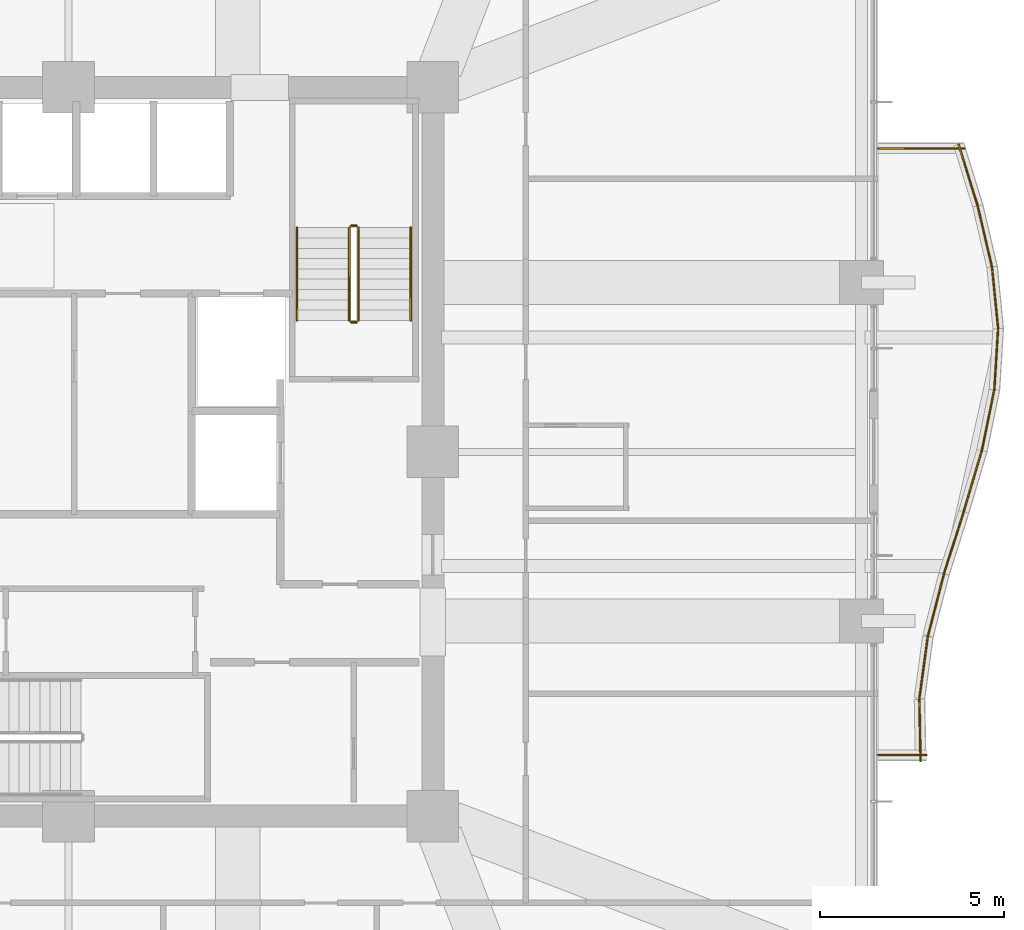
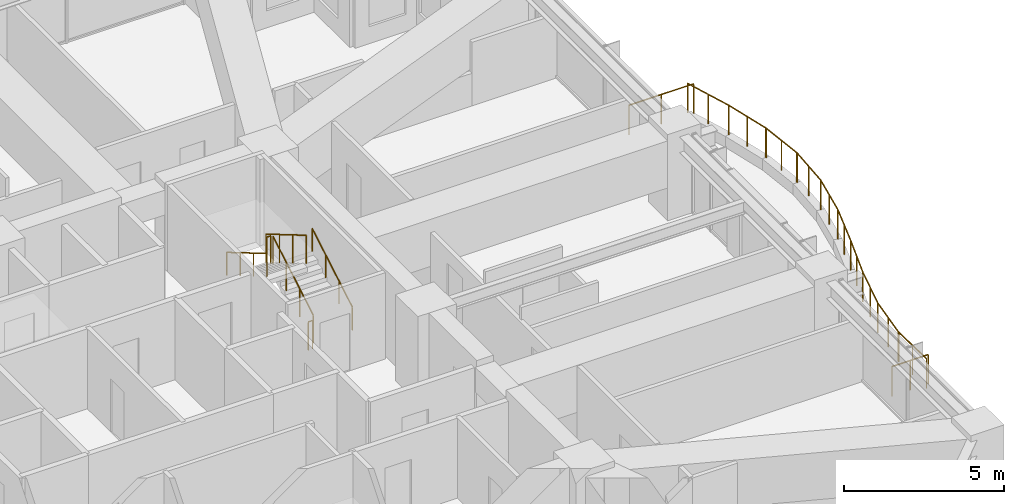
# One storey, part 39 of 39: 18 railings.
"""IFC4 building model written with IfcOpenShell, lengths in metres."""

from ifc_helpers import new_model, si_unit, direction, frame, origin, origin_2d, place, context, subcontext, project, spatial, circle, extrude, material, type_object, element, save


model = new_model("IFC4")

# Units and contexts
model_context = context("Model", 3, precision=1e-05, world=origin(), true_north=direction((0.0, 1.0)))
body_context = subcontext(model_context, "Body", "Model", "MODEL_VIEW")
ifc_project = project(units=[si_unit("LENGTHUNIT", "METRE"), si_unit("AREAUNIT", "SQUARE_METRE"), si_unit("VOLUMEUNIT", "CUBIC_METRE"), si_unit("PLANEANGLEUNIT", "RADIAN"), si_unit("MASSUNIT", "GRAM", prefix="KILO")], contexts=[model_context])

# Site, building, storey
site_placement = place(None, origin())
site = spatial("IfcSite", under=ifc_project, at=site_placement, CompositionType="ELEMENT")
building_placement = place(site_placement, origin())
building = spatial("IfcBuilding", under=site, at=building_placement, Name="Kolvaren Belvedere", CompositionType="ELEMENT")
storey_placement = place(building_placement, frame((0.0, 0.0, 40.300048828125)))
storey = spatial("IfcBuildingStorey", under=building, at=storey_placement, Name="L11", CompositionType="ELEMENT", Elevation=40.300048828125)

# Railings
ifc_material_1 = material(Name="Anodised pale-metal aluminium & laminated glass guard", Category="aluminium")
railing_type_1 = type_object("IfcRailingType", Name="RL-GUARD-1150", PredefinedType="GUARDRAIL", material=ifc_material_1)
railing_1_placement = place(storey_placement, frame((23.15283203125, -8.4033203125, 0.35986328125)))
element("IfcRailing", 1, at=railing_1_placement, inside=storey, type_object=railing_type_1, Name="L11 Exterior Deck Safety Guard BAL-E-1", PredefinedType="GUARDRAIL", context=body_context, shape_type="SweptSolid", body=[
    extrude(circle(Radius=0.02392578125, at=origin_2d()), frame((0.0, 0.0, 1.1259765625), z_axis=(-0.020048280122, 0.999799013034, 0.0), x_axis=(-0.999799013034, -0.020048280122, 0.0)), (0.0, 0.0, 1.0), 1.680419921875),
    extrude(circle(Radius=0.02099609375, at=origin_2d()), origin(), (0.0, 0.0, 1.0), 1.101806640625),
    extrude(circle(Radius=0.02099609375, at=origin_2d()), frame((-0.016845703125, 0.840087890625, 0.0)), (0.0, 0.0, 1.0), 1.101806640625),
    extrude(circle(Radius=0.02099609375, at=origin_2d()), frame((-0.03369140625, 1.68017578125, 0.0)), (0.0, 0.0, 1.0), 1.101806640625),
])
railing_2_placement = place(storey_placement, frame((23.12060546875, -6.698486328125, 0.35986328125)))
element("IfcRailing", 2, at=railing_2_placement, inside=storey, type_object=railing_type_1, Name="L11 Exterior Deck Safety Guard BAL-E-2", PredefinedType="GUARDRAIL", context=body_context, shape_type="SweptSolid", body=[
    extrude(circle(Radius=0.02392578125, at=origin_2d()), frame((0.0, 0.0, 1.1259765625), z_axis=(0.134907602079, 0.990858183042, 0.0), x_axis=(-0.990858183042, 0.134907602079, 0.0)), (0.0, 0.0, 1.0), 1.695556640625),
    extrude(circle(Radius=0.02099609375, at=origin_2d()), origin(), (0.0, 0.0, 1.0), 1.101806640625),
    extrude(circle(Radius=0.02099609375, at=origin_2d()), frame((0.1142578125, 0.840087890625, 0.0)), (0.0, 0.0, 1.0), 1.101806640625),
    extrude(circle(Radius=0.02099609375, at=origin_2d()), frame((0.228759765625, 1.68017578125, 0.0)), (0.0, 0.0, 1.0), 1.101806640625),
])
railing_3_placement = place(storey_placement, frame((23.352783203125, -5.0, 0.35986328125)))
element("IfcRailing", 3, at=railing_3_placement, inside=storey, type_object=railing_type_1, Name="L11 Exterior Deck Safety Guard BAL-E-3", PredefinedType="GUARDRAIL", context=body_context, shape_type="SweptSolid", body=[
    extrude(circle(Radius=0.02392578125, at=origin_2d()), frame((0.0, 0.0, 1.1259765625), z_axis=(0.250537405469, 0.968106919953, 0.0), x_axis=(-0.968106919953, 0.250537405469, 0.0)), (0.0, 0.0, 1.0), 1.735595703125),
    extrude(circle(Radius=0.02099609375, at=origin_2d()), origin(), (0.0, 0.0, 1.0), 1.101806640625),
    extrude(circle(Radius=0.02099609375, at=origin_2d()), frame((0.21728515625, 0.840087890625, 0.0)), (0.0, 0.0, 1.0), 1.101806640625),
    extrude(circle(Radius=0.02099609375, at=origin_2d()), frame((0.434814453125, 1.68017578125, 0.0)), (0.0, 0.0, 1.0), 1.101806640625),
])
railing_4_placement = place(storey_placement, frame((23.789794921875, -3.3115234375, 0.35986328125)))
element("IfcRailing", 4, at=railing_4_placement, inside=storey, type_object=railing_type_1, Name="L11 Exterior Deck Safety Guard BAL-E-4", PredefinedType="GUARDRAIL", context=body_context, shape_type="SweptSolid", body=[
    extrude(circle(Radius=0.02392578125, at=origin_2d()), frame((0.0, 0.0, 1.1259765625), z_axis=(0.302523204768, 0.953142020151, 0.0), x_axis=(-0.953142020151, 0.302523204768, 0.0)), (0.0, 0.0, 1.0), 1.762451171875),
    extrude(circle(Radius=0.02099609375, at=origin_2d()), origin(), (0.0, 0.0, 1.0), 1.101806640625),
    extrude(circle(Radius=0.02099609375, at=origin_2d()), frame((0.2666015625, 0.83984375, 0.0)), (0.0, 0.0, 1.0), 1.101806640625),
    extrude(circle(Radius=0.02099609375, at=origin_2d()), frame((0.533203125, 1.679931640625, 0.0)), (0.0, 0.0, 1.0), 1.101806640625),
])
railing_5_placement = place(storey_placement, frame((24.322021484375, -1.634521484375, 0.35986328125)))
element("IfcRailing", 5, at=railing_5_placement, inside=storey, type_object=railing_type_1, Name="L11 Exterior Deck Safety Guard BAL-E-5", PredefinedType="GUARDRAIL", context=body_context, shape_type="SweptSolid", body=[
    extrude(circle(Radius=0.02392578125, at=origin_2d()), frame((0.0, 0.0, 1.1259765625), z_axis=(0.284842289601, 0.958574394638, 0.0), x_axis=(-0.958574394638, 0.284842289601, 0.0)), (0.0, 0.0, 1.0), 1.752685546875),
    extrude(circle(Radius=0.02099609375, at=origin_2d()), origin(), (0.0, 0.0, 1.0), 1.101806640625),
    extrude(circle(Radius=0.02099609375, at=origin_2d()), frame((0.24951171875, 0.840087890625, 0.0)), (0.0, 0.0, 1.0), 1.101806640625),
    extrude(circle(Radius=0.02099609375, at=origin_2d()), frame((0.499267578125, 1.68017578125, 0.0)), (0.0, 0.0, 1.0), 1.101806640625),
])
railing_6_placement = place(storey_placement, frame((24.818115234375, 0.031982421875, 0.35986328125)))
element("IfcRailing", 6, at=railing_6_placement, inside=storey, type_object=railing_type_1, Name="L11 Exterior Deck Safety Guard BAL-E-6", PredefinedType="GUARDRAIL", context=body_context, shape_type="SweptSolid", body=[
    extrude(circle(Radius=0.02392578125, at=origin_2d()), frame((0.0, 0.0, 1.1259765625), z_axis=(0.199647526069, 0.979867779516, 0.0), x_axis=(-0.979867779516, 0.199647526069, 0.0)), (0.0, 0.0, 1.0), 1.71435546875),
    extrude(circle(Radius=0.02099609375, at=origin_2d()), origin(), (0.0, 0.0, 1.0), 1.101806640625),
    extrude(circle(Radius=0.02099609375, at=origin_2d()), frame((0.171142578125, 0.83984375, 0.0)), (0.0, 0.0, 1.0), 1.101806640625),
    extrude(circle(Radius=0.02099609375, at=origin_2d()), frame((0.34228515625, 1.679931640625, 0.0)), (0.0, 0.0, 1.0), 1.101806640625),
])
railing_7_placement = place(storey_placement, frame((25.157470703125, 1.689697265625, 0.35986328125)))
element("IfcRailing", 7, at=railing_7_placement, inside=storey, type_object=railing_type_1, Name="L11 Exterior Deck Safety Guard BAL-E-7", PredefinedType="GUARDRAIL", context=body_context, shape_type="SweptSolid", body=[
    extrude(circle(Radius=0.02392578125, at=origin_2d()), frame((0.0, 0.0, 1.1259765625), z_axis=(0.061059932685, 0.998134101522, 0.0), x_axis=(-0.998134101522, 0.061059932685, 0.0)), (0.0, 0.0, 1.0), 1.683349609375),
    extrude(circle(Radius=0.02099609375, at=origin_2d()), origin(), (0.0, 0.0, 1.0), 1.101806640625),
    extrude(circle(Radius=0.02099609375, at=origin_2d()), frame((0.05126953125, 0.840087890625, 0.0)), (0.0, 0.0, 1.0), 1.101806640625),
    extrude(circle(Radius=0.02099609375, at=origin_2d()), frame((0.102783203125, 1.68017578125, 0.0)), (0.0, 0.0, 1.0), 1.101806640625),
])
railing_8_placement = place(storey_placement, frame((25.2607421875, 3.343994140625, 0.35986328125)))
element("IfcRailing", 8, at=railing_8_placement, inside=storey, type_object=railing_type_1, Name="L11 Exterior Deck Safety Guard BAL-E-8", PredefinedType="GUARDRAIL", context=body_context, shape_type="SweptSolid", body=[
    extrude(circle(Radius=0.02392578125, at=origin_2d()), frame((0.0, 0.0, 1.1259765625), z_axis=(-0.099475088112, 0.995040052885, 0.0), x_axis=(-0.995040052885, -0.099475088112, 0.0)), (0.0, 0.0, 1.0), 1.6884765625),
    extrude(circle(Radius=0.02099609375, at=origin_2d()), origin(), (0.0, 0.0, 1.0), 1.101806640625),
    extrude(circle(Radius=0.02099609375, at=origin_2d()), frame((-0.083984375, 0.840087890625, 0.0)), (0.0, 0.0, 1.0), 1.101806640625),
    extrude(circle(Radius=0.02099609375, at=origin_2d()), frame((-0.16796875, 1.68017578125, 0.0)), (0.0, 0.0, 1.0), 1.101806640625),
])
railing_9_placement = place(storey_placement, frame((25.09619140625, 5.003662109375, 0.35986328125)))
element("IfcRailing", 9, at=railing_9_placement, inside=storey, type_object=railing_type_1, Name="L11 Exterior Deck Safety Guard BAL-E-9", PredefinedType="GUARDRAIL", context=body_context, shape_type="SweptSolid", body=[
    extrude(circle(Radius=0.02392578125, at=origin_2d()), frame((0.0, 0.0, 1.1259765625), z_axis=(-0.227019323824, 0.973890253884, 0.0), x_axis=(-0.973890253884, -0.227019323824, 0.0)), (0.0, 0.0, 1.0), 1.724853515625),
    extrude(circle(Radius=0.02099609375, at=origin_2d()), origin(), (0.0, 0.0, 1.0), 1.101806640625),
    extrude(circle(Radius=0.02099609375, at=origin_2d()), frame((-0.19580078125, 0.83984375, 0.0)), (0.0, 0.0, 1.0), 1.101806640625),
    extrude(circle(Radius=0.02099609375, at=origin_2d()), frame((-0.3916015625, 1.679931640625, 0.0)), (0.0, 0.0, 1.0), 1.101806640625),
])
railing_10_placement = place(storey_placement, frame((24.70751953125, 6.672607421875, 0.35986328125)))
element("IfcRailing", 10, at=railing_10_placement, inside=storey, type_object=railing_type_1, Name="L11 Exterior Deck Safety Guard BAL-E-10", PredefinedType="GUARDRAIL", context=body_context, shape_type="SweptSolid", body=[
    extrude(circle(Radius=0.02392578125, at=origin_2d()), frame((0.0, 0.0, 1.1259765625), z_axis=(-0.29579229954, 0.955252278476, 0.0), x_axis=(-0.955252278476, -0.29579229954, 0.0)), (0.0, 0.0, 1.0), 1.7587890625),
    extrude(circle(Radius=0.02099609375, at=origin_2d()), origin(), (0.0, 0.0, 1.0), 1.101806640625),
    extrude(circle(Radius=0.02099609375, at=origin_2d()), frame((-0.26025390625, 0.840087890625, 0.0)), (0.0, 0.0, 1.0), 1.101806640625),
    extrude(circle(Radius=0.02099609375, at=origin_2d()), frame((-0.520263671875, 1.68017578125, 0.0)), (0.0, 0.0, 1.0), 1.101806640625),
])
railing_11_placement = place(storey_placement, frame((24.340087890625, 8.239990234375, 0.35986328125)))
element("IfcRailing", 11, at=railing_11_placement, inside=storey, type_object=railing_type_1, Name="L11 Exterior Deck Safety Guard BAL-E-11", PredefinedType="GUARDRAIL", context=body_context, shape_type="SweptSolid", body=[
    extrude(circle(Radius=0.02392578125, at=origin_2d()), frame((0.0, 0.0, 1.1259765625), z_axis=(-1.0, 0.0, 0.0), x_axis=(0.0, -1.0, 0.0)), (0.0, 0.0, 1.0), 2.340087890625),
    extrude(circle(Radius=0.02099609375, at=origin_2d()), origin(), (0.0, 0.0, 1.0), 1.101806640625),
    extrude(circle(Radius=0.02099609375, at=origin_2d()), frame((-1.169921875, 0.0, 0.0)), (0.0, 0.0, 1.0), 1.101806640625),
    extrude(circle(Radius=0.02099609375, at=origin_2d()), frame((-2.340087890625, 0.0, 0.0)), (0.0, 0.0, 1.0), 1.101806640625),
])
railing_12_placement = place(storey_placement, frame((22.0, -8.239990234375, 0.35986328125)))
element("IfcRailing", 12, at=railing_12_placement, inside=storey, type_object=railing_type_1, Name="L11 Exterior Deck Safety Guard BAL-E-22", PredefinedType="GUARDRAIL", context=body_context, shape_type="SweptSolid", body=[
    extrude(circle(Radius=0.02392578125, at=origin_2d()), frame((0.0, 0.0, 1.1259765625), z_axis=(1.0, 0.0, 0.0), x_axis=(0.0, 1.0, 0.0)), (0.0, 0.0, 1.0), 1.31298828125),
    extrude(circle(Radius=0.02099609375, at=origin_2d()), origin(), (0.0, 0.0, 1.0), 1.101806640625),
    extrude(circle(Radius=0.02099609375, at=origin_2d()), frame((0.656494140625, 0.0, 0.0)), (0.0, 0.0, 1.0), 1.101806640625),
    extrude(circle(Radius=0.02099609375, at=origin_2d()), frame((1.31298828125, 0.0, 0.0)), (0.0, 0.0, 1.0), 1.101806640625),
])
ifc_material_2 = material(Name="Brushed stainless-steel handrail", Category="steel")
railing_type_2 = type_object("IfcRailingType", Name="RL-HANDRAIL-920", PredefinedType="HANDRAIL", material=ifc_material_2)
railing_13_placement = place(storey_placement, frame((9.300048828125, 3.570068359375, 0.1650390625)))
element("IfcRailing", 13, at=railing_13_placement, inside=storey, type_object=railing_type_2, Name="L11 ST-2 stair handrail 1", PredefinedType="HANDRAIL", context=body_context, shape_type="SweptSolid", body=[
    extrude(circle(Radius=0.02392578125, at=origin_2d()), frame((0.0, 0.0, 0.8759765625), z_axis=(0.0, 0.861560626758, 0.507654692109), x_axis=(-1.0, 0.0, 0.0)), (0.0, 0.0, 1.0), 2.925048828125),
    extrude(circle(Radius=0.02099609375, at=origin_2d()), origin(), (0.0, 0.0, 1.0), 0.851806640625),
    extrude(circle(Radius=0.02099609375, at=origin_2d()), frame((0.0, 0.840087890625, 0.494873046875)), (0.0, 0.0, 1.0), 0.851806640625),
    extrude(circle(Radius=0.02099609375, at=origin_2d()), frame((0.0, 1.679931640625, 0.989990234375)), (0.0, 0.0, 1.0), 0.851806640625),
    extrude(circle(Radius=0.02099609375, at=origin_2d()), frame((0.0, 2.52001953125, 1.48486328125)), (0.0, 0.0, 1.0), 0.851806640625),
])
railing_14_placement = place(storey_placement, frame((6.2099609375, 6.090087890625, 1.81494140625)))
element("IfcRailing", 14, at=railing_14_placement, inside=storey, type_object=railing_type_2, Name="L11 ST-2 stair handrail 2", PredefinedType="HANDRAIL", context=body_context, shape_type="SweptSolid", body=[
    extrude(circle(Radius=0.02392578125, at=origin_2d()), frame((0.0, 0.0, 0.8759765625), z_axis=(0.0, -0.86152411907, 0.507716645641), x_axis=(1.0, 0.0, 0.0)), (0.0, 0.0, 1.0), 2.925048828125),
    extrude(circle(Radius=0.02099609375, at=origin_2d()), origin(), (0.0, 0.0, 1.0), 0.851806640625),
    extrude(circle(Radius=0.02099609375, at=origin_2d()), frame((0.0, -0.840087890625, 0.4951171875)), (0.0, 0.0, 1.0), 0.851806640625),
    extrude(circle(Radius=0.02099609375, at=origin_2d()), frame((0.0, -1.679931640625, 0.989990234375)), (0.0, 0.0, 1.0), 0.851806640625),
    extrude(circle(Radius=0.02099609375, at=origin_2d()), frame((0.0, -2.52001953125, 1.485107421875)), (0.0, 0.0, 1.0), 0.851806640625),
])
ifc_material_3 = material(Name="Painted tubular steel stair guard", Category="steel")
railing_type_3 = type_object("IfcRailingType", Name="RL-STGUARD-1100", PredefinedType="GUARDRAIL", material=ifc_material_3)
railing_15_placement = place(storey_placement, frame((7.8798828125, 3.570068359375, 0.1650390625)))
element("IfcRailing", 15, at=railing_15_placement, inside=storey, type_object=railing_type_3, Name="L11 ST-2 stair guard 1", PredefinedType="GUARDRAIL", context=body_context, shape_type="SweptSolid", body=[
    extrude(circle(Radius=0.02392578125, at=origin_2d()), frame((0.0, 0.0, 1.076171875), z_axis=(0.0, 0.861560626758, 0.507654692109), x_axis=(-1.0, 0.0, 0.0)), (0.0, 0.0, 1.0), 2.925048828125),
    extrude(circle(Radius=0.02099609375, at=origin_2d()), origin(), (0.0, 0.0, 1.0), 1.052001953125),
    extrude(circle(Radius=0.02099609375, at=origin_2d()), frame((0.0, 0.840087890625, 0.494873046875)), (0.0, 0.0, 1.0), 1.052001953125),
    extrude(circle(Radius=0.02099609375, at=origin_2d()), frame((0.0, 1.679931640625, 0.989990234375)), (0.0, 0.0, 1.0), 1.052001953125),
    extrude(circle(Radius=0.02099609375, at=origin_2d()), frame((0.0, 2.52001953125, 1.48486328125)), (0.0, 0.0, 1.0), 1.052001953125),
])
railing_16_placement = place(storey_placement, frame((7.830078125, 6.139892578125, 1.64990234375)))
element("IfcRailing", 16, at=railing_16_placement, inside=storey, type_object=railing_type_3, Name="L11 ST-2 stair guard 2", PredefinedType="GUARDRAIL", context=body_context, shape_type="SweptSolid", body=[
    extrude(circle(Radius=0.02392578125, at=origin_2d()), frame((0.0, 0.0, 1.076171875), z_axis=(-1.0, 0.0, 0.0), x_axis=(0.0, -1.0, 0.0)), (0.0, 0.0, 1.0), 0.150146484375),
    extrude(circle(Radius=0.02099609375, at=origin_2d()), origin(), (0.0, 0.0, 1.0), 1.052001953125),
    extrude(circle(Radius=0.02099609375, at=origin_2d()), frame((-0.150146484375, 0.0, 0.0)), (0.0, 0.0, 1.0), 1.052001953125),
])
railing_17_placement = place(storey_placement, frame((7.6298828125, 6.090087890625, 1.81494140625)))
element("IfcRailing", 17, at=railing_17_placement, inside=storey, type_object=railing_type_3, Name="L11 ST-2 stair guard 3", PredefinedType="GUARDRAIL", context=body_context, shape_type="SweptSolid", body=[
    extrude(circle(Radius=0.02392578125, at=origin_2d()), frame((0.0, 0.0, 1.076171875), z_axis=(0.0, -0.86152411907, 0.507716645641), x_axis=(1.0, 0.0, 0.0)), (0.0, 0.0, 1.0), 2.925048828125),
    extrude(circle(Radius=0.02099609375, at=origin_2d()), origin(), (0.0, 0.0, 1.0), 1.052001953125),
    extrude(circle(Radius=0.02099609375, at=origin_2d()), frame((0.0, -0.840087890625, 0.4951171875)), (0.0, 0.0, 1.0), 1.052001953125),
    extrude(circle(Radius=0.02099609375, at=origin_2d()), frame((0.0, -1.679931640625, 0.989990234375)), (0.0, 0.0, 1.0), 1.052001953125),
    extrude(circle(Radius=0.02099609375, at=origin_2d()), frame((0.0, -2.52001953125, 1.485107421875)), (0.0, 0.0, 1.0), 1.052001953125),
])
railing_18_placement = place(storey_placement, frame((7.830078125, 3.52001953125, 0.0)))
element("IfcRailing", 18, at=railing_18_placement, inside=storey, type_object=railing_type_3, Name="L11 ST-2 stair guard 4", PredefinedType="GUARDRAIL", context=body_context, shape_type="SweptSolid", body=[
    extrude(circle(Radius=0.02392578125, at=origin_2d()), frame((0.0, 0.0, 1.076171875), z_axis=(-1.0, 0.0, 0.0), x_axis=(0.0, -1.0, 0.0)), (0.0, 0.0, 1.0), 0.150146484375),
    extrude(circle(Radius=0.02099609375, at=origin_2d()), origin(), (0.0, 0.0, 1.0), 1.052001953125),
    extrude(circle(Radius=0.02099609375, at=origin_2d()), frame((-0.150146484375, 0.0, 0.0)), (0.0, 0.0, 1.0), 1.052001953125),
])

save(model, "model.ifc")
